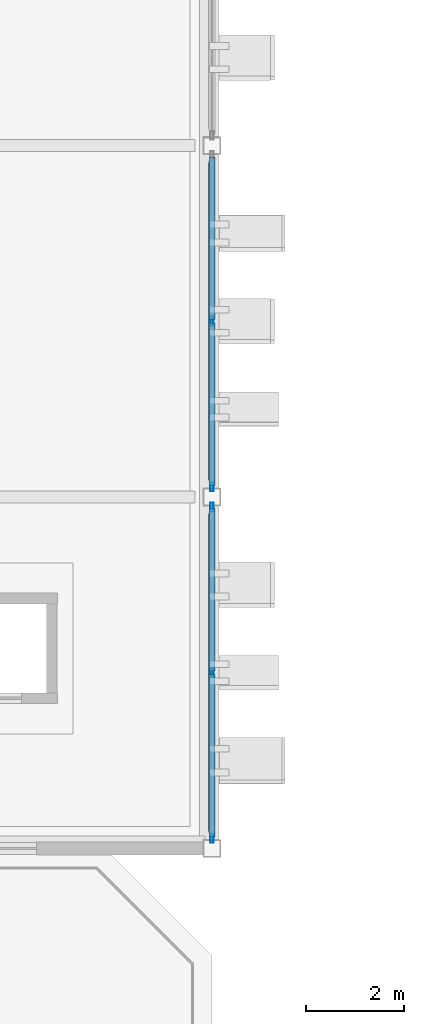
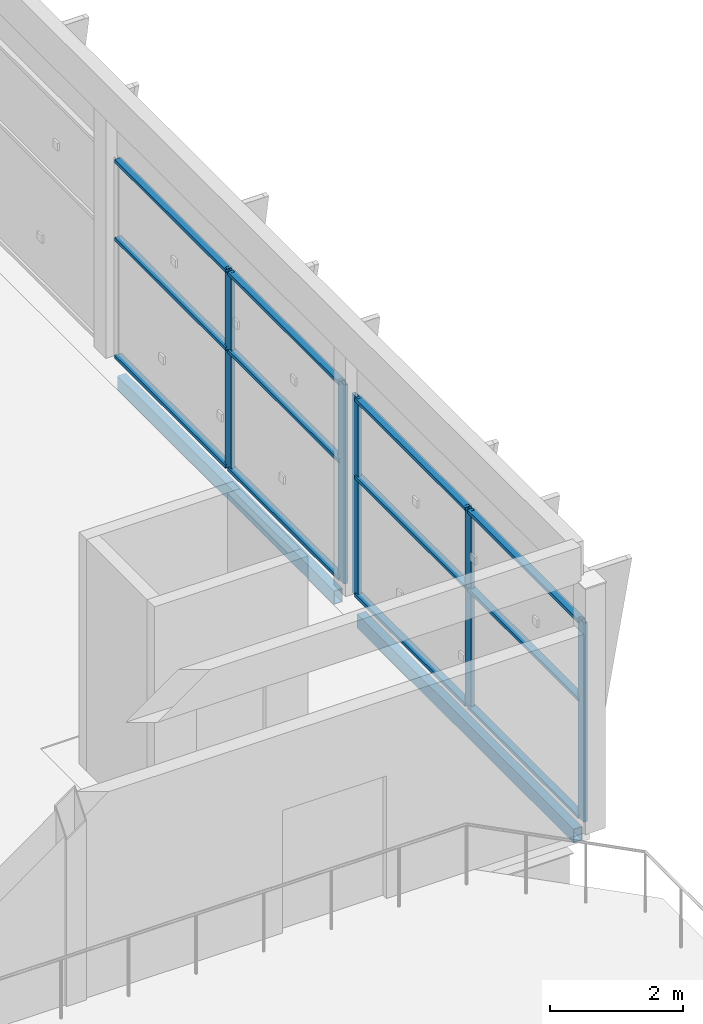
# One storey, part 43 of 124: 17 members, 2 beams, 2 elements without a shape of their own.
"""IFC4 building model written with IfcOpenShell, lengths in metres."""

from ifc_helpers import new_model, si_unit, direction, frame, origin, origin_2d, place, context, subcontext, project, spatial, hollow_rectangle, extrude, material, layer, layer_set, material_profile, profile_set, type_object, element, aggregate, save


model = new_model("IFC4")

# Units and contexts
model_context = context("Model", 3, precision=1e-05, world=origin(), true_north=direction((0.0, 1.0)))
body_context = subcontext(model_context, "Body", "Model", "MODEL_VIEW")
ifc_project = project(units=[si_unit("LENGTHUNIT", "METRE"), si_unit("AREAUNIT", "SQUARE_METRE"), si_unit("VOLUMEUNIT", "CUBIC_METRE"), si_unit("PLANEANGLEUNIT", "RADIAN"), si_unit("MASSUNIT", "GRAM", prefix="KILO")], contexts=[model_context])

# Site, building, storey
site_placement = place(None, origin())
site = spatial("IfcSite", under=ifc_project, at=site_placement, CompositionType="ELEMENT")
building_placement = place(site_placement, origin())
building = spatial("IfcBuilding", under=site, at=building_placement, Name="Celestram Park Convention Centre", CompositionType="ELEMENT")
storey_placement = place(building_placement, frame((0.0, 0.0, 15.300048828125)))
storey = spatial("IfcBuildingStorey", under=building, at=storey_placement, Name="L03", CompositionType="ELEMENT", Elevation=15.300048828125)

# Curtain wall, members
ifc_material_1 = material(Name="Anodised Aluminium Alloy 6063-T6", Category="aluminium")
ifc_layer = layer(ifc_material_1, 0.179931640625)
ifc_layer_set = layer_set([ifc_layer], Name="Anodised Aluminium Alloy 6063-T6")
curtain_wall_type = type_object("IfcCurtainWallType", Name="ARC-CW-685X365", PredefinedType="NOTDEFINED", material=ifc_layer_set)
curtain_wall_1_placement = place(storey_placement, origin())
curtain_wall_1 = element("IfcCurtainWall", 1, at=curtain_wall_1_placement, inside=storey, type_object=curtain_wall_type, Name="Unitised curtain wall CU-L03-225", PredefinedType="NOTDEFINED")
ifc_material_profile_1 = material_profile(ifc_material_1, hollow_rectangle(XDim=0.06494140625, YDim=0.179931640625, WallThickness=0.00390625, at=origin_2d()), Name="ALU65X180X4")
ifc_profile_set_1 = profile_set([ifc_material_profile_1], Name="Anodised Aluminium Alloy 6063-T6")
member_type_1 = type_object("IfcMemberType", Name="ARC-CWM-150", PredefinedType="MULLION", material=ifc_profile_set_1)
member_1_placement = place(storey_placement, frame((144.0, 61.199951171875, 0.0), z_axis=(0.0, 0.0, 1.0), x_axis=(1.0, 0.0, 0.0)))
member_1 = element("IfcMember", 2, at=member_1_placement, type_object=member_type_1, Name="CW-68X36 mullion 2", PredefinedType="MULLION", context=body_context, shape_type="SweptSolid", body=[
    extrude(hollow_rectangle(XDim=0.06494140625, YDim=0.179931640625, WallThickness=0.00390625, at=origin_2d()), origin(), (0.0, 0.0, 1.0), 3.64794921875),
])
member_2_placement = place(storey_placement, frame((144.0, 57.805419921875, 0.0), z_axis=(0.0, 0.0, 1.0), x_axis=(1.0, 0.0, 0.0)))
member_2 = element("IfcMember", 3, at=member_2_placement, type_object=member_type_1, Name="CW-68X36 mullion 3", PredefinedType="MULLION", context=body_context, shape_type="SweptSolid", body=[
    extrude(hollow_rectangle(XDim=0.06494140625, YDim=0.179931640625, WallThickness=0.00390625, at=origin_2d()), origin(), (0.0, 0.0, 1.0), 3.64794921875),
])

curtain_wall_2_placement = place(storey_placement, origin())
curtain_wall_2 = element("IfcCurtainWall", 4, at=curtain_wall_2_placement, inside=storey, type_object=curtain_wall_type, Name="Unitised curtain wall CU-L03-226", PredefinedType="NOTDEFINED")
member_3_placement = place(storey_placement, frame((144.0, 57.39453125, 0.0), z_axis=(0.0, 0.0, 1.0), x_axis=(1.0, 0.0, 0.0)))
member_3 = element("IfcMember", 5, at=member_3_placement, type_object=member_type_1, Name="CW-68X36 mullion 1", PredefinedType="MULLION", context=body_context, shape_type="SweptSolid", body=[
    extrude(hollow_rectangle(XDim=0.06494140625, YDim=0.179931640625, WallThickness=0.00390625, at=origin_2d()), origin(), (0.0, 0.0, 1.0), 3.64794921875),
])
member_4_placement = place(storey_placement, frame((144.0, 54.0, 0.0), z_axis=(0.0, 0.0, 1.0), x_axis=(1.0, 0.0, 0.0)))
member_4 = element("IfcMember", 6, at=member_4_placement, type_object=member_type_1, Name="CW-68X36 mullion 2", PredefinedType="MULLION", context=body_context, shape_type="SweptSolid", body=[
    extrude(hollow_rectangle(XDim=0.06494140625, YDim=0.179931640625, WallThickness=0.00390625, at=origin_2d()), origin(), (0.0, 0.0, 1.0), 3.64794921875),
])
member_5_placement = place(storey_placement, frame((144.0, 50.60546875, 0.0), z_axis=(0.0, 0.0, 1.0), x_axis=(1.0, 0.0, 0.0)))
member_5 = element("IfcMember", 7, at=member_5_placement, type_object=member_type_1, Name="CW-68X36 mullion 3", PredefinedType="MULLION", context=body_context, shape_type="SweptSolid", body=[
    extrude(hollow_rectangle(XDim=0.06494140625, YDim=0.179931640625, WallThickness=0.00390625, at=origin_2d()), origin(), (0.0, 0.0, 1.0), 3.64794921875),
])

# Member
ifc_material_profile_2 = material_profile(ifc_material_1, hollow_rectangle(XDim=0.1201171875, YDim=0.06005859375, WallThickness=0.0029296875, at=origin_2d()), Name="ALU120X60X3")
ifc_profile_set_2 = profile_set([ifc_material_profile_2], Name="Anodised Aluminium Alloy 6063-T6")
member_type_2 = type_object("IfcMemberType", Name="ARC-CWT-120", PredefinedType="USERDEFINED", material=ifc_profile_set_2)
member_6_placement = place(storey_placement, frame((144.0, 64.56201171875, 0.030029296875), z_axis=(0.0, -1.0, 0.0), x_axis=(1.0, 0.0, 0.0)))
member_6 = element("IfcMember", 8, at=member_6_placement, type_object=member_type_2, Name="CW-68X36 transom 1.1", ObjectType="TRANSOM", PredefinedType="USERDEFINED", context=body_context, shape_type="SweptSolid", body=[
    extrude(hollow_rectangle(XDim=0.1201171875, YDim=0.06005859375, WallThickness=0.0029296875, at=origin_2d()), origin(), (0.0, 0.0, 1.0), 3.32958984375),
])

member_7_placement = place(storey_placement, frame((144.0, 64.56201171875, 2.18896484375), z_axis=(0.0, -1.0, 0.0), x_axis=(1.0, 0.0, 0.0)))
member_7 = element("IfcMember", 9, at=member_7_placement, type_object=member_type_2, Name="CW-68X36 transom 1.2", ObjectType="TRANSOM", PredefinedType="USERDEFINED", context=body_context, shape_type="SweptSolid", body=[
    extrude(hollow_rectangle(XDim=0.1201171875, YDim=0.06005859375, WallThickness=0.0029296875, at=origin_2d()), origin(), (0.0, 0.0, 1.0), 3.32958984375),
])

member_8_placement = place(storey_placement, frame((144.0, 64.56201171875, 3.617919921875), z_axis=(0.0, -1.0, 0.0), x_axis=(1.0, 0.0, 0.0)))
member_8 = element("IfcMember", 10, at=member_8_placement, type_object=member_type_2, Name="CW-68X36 transom 1.3", ObjectType="TRANSOM", PredefinedType="USERDEFINED", context=body_context, shape_type="SweptSolid", body=[
    extrude(hollow_rectangle(XDim=0.1201171875, YDim=0.06005859375, WallThickness=0.0029296875, at=origin_2d()), origin(), (0.0, 0.0, 1.0), 3.32958984375),
])

member_9_placement = place(storey_placement, frame((144.0, 61.16748046875, 0.030029296875), z_axis=(0.0, -1.0, 0.0), x_axis=(1.0, 0.0, 0.0)))
member_9 = element("IfcMember", 11, at=member_9_placement, type_object=member_type_2, Name="CW-68X36 transom 2.1", ObjectType="TRANSOM", PredefinedType="USERDEFINED", context=body_context, shape_type="SweptSolid", body=[
    extrude(hollow_rectangle(XDim=0.1201171875, YDim=0.06005859375, WallThickness=0.0029296875, at=origin_2d()), origin(), (0.0, 0.0, 1.0), 3.32958984375),
])

member_10_placement = place(storey_placement, frame((144.0, 61.16748046875, 2.18896484375), z_axis=(0.0, -1.0, 0.0), x_axis=(1.0, 0.0, 0.0)))
member_10 = element("IfcMember", 12, at=member_10_placement, type_object=member_type_2, Name="CW-68X36 transom 2.2", ObjectType="TRANSOM", PredefinedType="USERDEFINED", context=body_context, shape_type="SweptSolid", body=[
    extrude(hollow_rectangle(XDim=0.1201171875, YDim=0.06005859375, WallThickness=0.0029296875, at=origin_2d()), origin(), (0.0, 0.0, 1.0), 3.32958984375),
])

member_11_placement = place(storey_placement, frame((144.0, 61.16748046875, 3.617919921875), z_axis=(0.0, -1.0, 0.0), x_axis=(1.0, 0.0, 0.0)))
member_11 = element("IfcMember", 13, at=member_11_placement, type_object=member_type_2, Name="CW-68X36 transom 2.3", ObjectType="TRANSOM", PredefinedType="USERDEFINED", context=body_context, shape_type="SweptSolid", body=[
    extrude(hollow_rectangle(XDim=0.1201171875, YDim=0.06005859375, WallThickness=0.0029296875, at=origin_2d()), origin(), (0.0, 0.0, 1.0), 3.32958984375),
])

aggregate(curtain_wall_1, [member_1, member_2, member_6, member_7, member_8, member_9, member_10, member_11])

member_12_placement = place(storey_placement, frame((144.0, 57.362060546875, 0.030029296875), z_axis=(0.0, -1.0, 0.0), x_axis=(1.0, 0.0, 0.0)))
member_12 = element("IfcMember", 14, at=member_12_placement, type_object=member_type_2, Name="CW-68X36 transom 1.1", ObjectType="TRANSOM", PredefinedType="USERDEFINED", context=body_context, shape_type="SweptSolid", body=[
    extrude(hollow_rectangle(XDim=0.1201171875, YDim=0.06005859375, WallThickness=0.0029296875, at=origin_2d()), origin(), (0.0, 0.0, 1.0), 3.32958984375),
])

member_13_placement = place(storey_placement, frame((144.0, 57.362060546875, 2.18896484375), z_axis=(0.0, -1.0, 0.0), x_axis=(1.0, 0.0, 0.0)))
member_13 = element("IfcMember", 15, at=member_13_placement, type_object=member_type_2, Name="CW-68X36 transom 1.2", ObjectType="TRANSOM", PredefinedType="USERDEFINED", context=body_context, shape_type="SweptSolid", body=[
    extrude(hollow_rectangle(XDim=0.1201171875, YDim=0.06005859375, WallThickness=0.0029296875, at=origin_2d()), origin(), (0.0, 0.0, 1.0), 3.32958984375),
])

member_14_placement = place(storey_placement, frame((144.0, 57.362060546875, 3.617919921875), z_axis=(0.0, -1.0, 0.0), x_axis=(1.0, 0.0, 0.0)))
member_14 = element("IfcMember", 16, at=member_14_placement, type_object=member_type_2, Name="CW-68X36 transom 1.3", ObjectType="TRANSOM", PredefinedType="USERDEFINED", context=body_context, shape_type="SweptSolid", body=[
    extrude(hollow_rectangle(XDim=0.1201171875, YDim=0.06005859375, WallThickness=0.0029296875, at=origin_2d()), origin(), (0.0, 0.0, 1.0), 3.32958984375),
])

member_15_placement = place(storey_placement, frame((144.0, 53.967529296875, 0.030029296875), z_axis=(0.0, -1.0, 0.0), x_axis=(1.0, 0.0, 0.0)))
member_15 = element("IfcMember", 17, at=member_15_placement, type_object=member_type_2, Name="CW-68X36 transom 2.1", ObjectType="TRANSOM", PredefinedType="USERDEFINED", context=body_context, shape_type="SweptSolid", body=[
    extrude(hollow_rectangle(XDim=0.1201171875, YDim=0.06005859375, WallThickness=0.0029296875, at=origin_2d()), origin(), (0.0, 0.0, 1.0), 3.32958984375),
])

member_16_placement = place(storey_placement, frame((144.0, 53.967529296875, 2.18896484375), z_axis=(0.0, -1.0, 0.0), x_axis=(1.0, 0.0, 0.0)))
member_16 = element("IfcMember", 18, at=member_16_placement, type_object=member_type_2, Name="CW-68X36 transom 2.2", ObjectType="TRANSOM", PredefinedType="USERDEFINED", context=body_context, shape_type="SweptSolid", body=[
    extrude(hollow_rectangle(XDim=0.1201171875, YDim=0.06005859375, WallThickness=0.0029296875, at=origin_2d()), origin(), (0.0, 0.0, 1.0), 3.32958984375),
])

member_17_placement = place(storey_placement, frame((144.0, 53.967529296875, 3.617919921875), z_axis=(0.0, -1.0, 0.0), x_axis=(1.0, 0.0, 0.0)))
member_17 = element("IfcMember", 19, at=member_17_placement, type_object=member_type_2, Name="CW-68X36 transom 2.3", ObjectType="TRANSOM", PredefinedType="USERDEFINED", context=body_context, shape_type="SweptSolid", body=[
    extrude(hollow_rectangle(XDim=0.1201171875, YDim=0.06005859375, WallThickness=0.0029296875, at=origin_2d()), origin(), (0.0, 0.0, 1.0), 3.32958984375),
])

aggregate(curtain_wall_2, [member_3, member_4, member_5, member_12, member_13, member_14, member_15, member_16, member_17])

# Beams
ifc_material_2 = material(Name="Steel ASTM A500 Grade C", Category="steel")
ifc_material_profile_3 = material_profile(ifc_material_2, hollow_rectangle(XDim=0.14990234375, YDim=0.25, WallThickness=0.010009765625, at=origin_2d()), Name="HSS250X150X10")
ifc_profile_set_3 = profile_set([ifc_material_profile_3], Name="Steel ASTM A500 Grade C")
beam_type = type_object("IfcBeamType", Name="STR-SPN-HSS250X150", PredefinedType="SPANDREL", material=ifc_profile_set_3)
for number, where, z_axis, x_axis, name in (
    (20, (144.0, 50.748046875, -0.375), (0.0, 1.0, 0.0), (-1.0, 0.0, 0.0), "Primary Y-girder BG-L03-0225"),
    (21, (144.0, 57.947998046875, -0.375), (0.0, 1.0, 0.0), (-1.0, 0.0, 0.0), "Primary Y-girder BG-L03-0226"),
):
    element("IfcBeam", number, at=place(storey_placement, frame(where, z_axis=z_axis, x_axis=x_axis)), inside=storey, type_object=beam_type, Name=name, PredefinedType="SPANDREL", context=body_context, shape_type="SweptSolid", body=[
        extrude(hollow_rectangle(XDim=0.14990234375, YDim=0.25, WallThickness=0.010009765625, at=origin_2d()), origin(), (0.0, 0.0, 1.0), 6.50390625),
    ])

save(model, "model.ifc")
